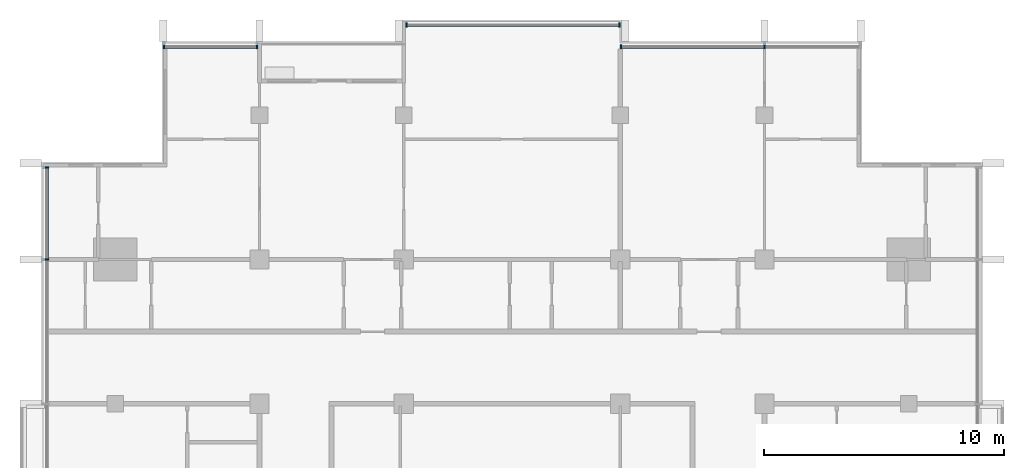
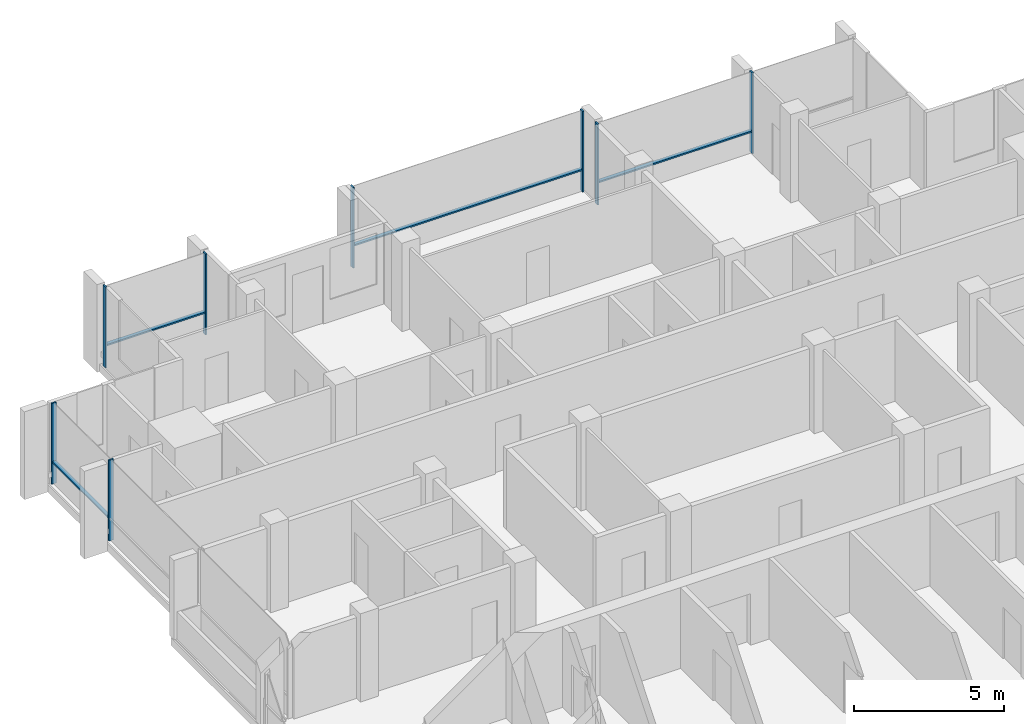
# One storey, part 4 of 16: 12 members, 4 elements without a shape of their own.
"""IFC4 building model written with IfcOpenShell, lengths in metres."""

from ifc_helpers import new_model, si_unit, direction, frame, origin, origin_2d, place, context, subcontext, project, spatial, rectangle, extrude, material, material_profile, profile_set, type_object, element, aggregate, save


model = new_model("IFC4")

# Units and contexts
model_context = context("Model", 3, precision=1e-05, world=origin(), true_north=direction((0.0, 1.0)))
body_context = subcontext(model_context, "Body", "Model", "MODEL_VIEW")
ifc_project = project(units=[si_unit("LENGTHUNIT", "METRE"), si_unit("AREAUNIT", "SQUARE_METRE"), si_unit("VOLUMEUNIT", "CUBIC_METRE"), si_unit("PLANEANGLEUNIT", "RADIAN"), si_unit("MASSUNIT", "GRAM", prefix="KILO")], contexts=[model_context])

# Site, building, storey
site_placement = place(None, origin())
site = spatial("IfcSite", under=ifc_project, at=site_placement, CompositionType="ELEMENT")
building_placement = place(site_placement, origin())
building = spatial("IfcBuilding", under=site, at=building_placement, Name="Finial Court Residences", CompositionType="ELEMENT")
storey_placement = place(building_placement, frame((0.0, 0.0, 277.10009765625)))
storey = spatial("IfcBuildingStorey", under=building, at=storey_placement, Name="L70", CompositionType="ELEMENT", Elevation=277.10009765625)

# Curtain wall, members
ifc_material = material(Name="Bronze anodised aluminium", Category="aluminium")
curtain_wall_type = type_object("IfcCurtainWallType", Name="Unitised curtain wall, upper zones", PredefinedType="NOTDEFINED", material=ifc_material)
curtain_wall_1_placement = place(storey_placement, origin())
curtain_wall_1 = element("IfcCurtainWall", 1, at=curtain_wall_1_placement, inside=storey, type_object=curtain_wall_type, Name="E-L70-CW-N1", PredefinedType="NOTDEFINED")
ifc_material_profile_1 = material_profile(ifc_material, rectangle(XDim=0.175048828125, YDim=0.06005859375, at=origin_2d()), Name="CW2 mullion 60 x 175")
ifc_profile_set_1 = profile_set([ifc_material_profile_1], Name="Bronze anodised aluminium")
member_type_1 = type_object("IfcMemberType", Name="CW2 mullion 60 x 175", PredefinedType="MULLION", material=ifc_profile_set_1)
member_1_placement = place(storey_placement, frame((-14.469970703125, 16.35009765625, 0.0), z_axis=(0.0, 0.0, 1.0), x_axis=(0.0, 1.0, 0.0)))
member_1 = element("IfcMember", 2, at=member_1_placement, type_object=member_type_1, Name="CW2 mullion 1", PredefinedType="MULLION", context=body_context, shape_type="SweptSolid", body=[
    extrude(rectangle(XDim=0.175048828125, YDim=0.06005859375, at=origin_2d()), origin(), (0.0, 0.0, 1.0), 3.2998046875),
])
member_2_placement = place(storey_placement, frame((-10.60498046875, 16.35009765625, 0.0), z_axis=(0.0, 0.0, 1.0), x_axis=(0.0, 1.0, 0.0)))
member_2 = element("IfcMember", 3, at=member_2_placement, type_object=member_type_1, Name="CW2 mullion 2", PredefinedType="MULLION", context=body_context, shape_type="SweptSolid", body=[
    extrude(rectangle(XDim=0.175048828125, YDim=0.06005859375, at=origin_2d()), origin(), (0.0, 0.0, 1.0), 3.2998046875),
])

curtain_wall_2_placement = place(storey_placement, origin())
curtain_wall_2 = element("IfcCurtainWall", 4, at=curtain_wall_2_placement, inside=storey, type_object=curtain_wall_type, Name="E-L70-CW-N2", PredefinedType="NOTDEFINED")
member_3_placement = place(storey_placement, frame((-4.39501953125, 17.25, 0.0), z_axis=(0.0, 0.0, 1.0), x_axis=(0.0, 1.0, 0.0)))
member_3 = element("IfcMember", 5, at=member_3_placement, type_object=member_type_1, Name="CW2 mullion 1", PredefinedType="MULLION", context=body_context, shape_type="SweptSolid", body=[
    extrude(rectangle(XDim=0.175048828125, YDim=0.06005859375, at=origin_2d()), origin(), (0.0, 0.0, 1.0), 3.2998046875),
])
member_4_placement = place(storey_placement, frame((4.469970703125, 17.25, 0.0), z_axis=(0.0, 0.0, 1.0), x_axis=(0.0, 1.0, 0.0)))
member_4 = element("IfcMember", 6, at=member_4_placement, type_object=member_type_1, Name="CW2 mullion 2", PredefinedType="MULLION", context=body_context, shape_type="SweptSolid", body=[
    extrude(rectangle(XDim=0.175048828125, YDim=0.06005859375, at=origin_2d()), origin(), (0.0, 0.0, 1.0), 3.2998046875),
])

curtain_wall_3_placement = place(storey_placement, origin())
curtain_wall_3 = element("IfcCurtainWall", 7, at=curtain_wall_3_placement, inside=storey, type_object=curtain_wall_type, Name="E-L70-CW-N3", PredefinedType="NOTDEFINED")
member_5_placement = place(storey_placement, frame((4.530029296875, 16.35009765625, 0.0), z_axis=(0.0, 0.0, 1.0), x_axis=(0.0, 1.0, 0.0)))
member_5 = element("IfcMember", 8, at=member_5_placement, type_object=member_type_1, Name="CW2 mullion 1", PredefinedType="MULLION", context=body_context, shape_type="SweptSolid", body=[
    extrude(rectangle(XDim=0.175048828125, YDim=0.06005859375, at=origin_2d()), origin(), (0.0, 0.0, 1.0), 3.2998046875),
])
member_6_placement = place(storey_placement, frame((10.5, 16.35009765625, 0.0), z_axis=(0.0, 0.0, 1.0), x_axis=(0.0, 1.0, 0.0)))
member_6 = element("IfcMember", 9, at=member_6_placement, type_object=member_type_1, Name="CW2 mullion 2", PredefinedType="MULLION", context=body_context, shape_type="SweptSolid", body=[
    extrude(rectangle(XDim=0.175048828125, YDim=0.06005859375, at=origin_2d()), origin(), (0.0, 0.0, 1.0), 3.2998046875),
])

curtain_wall_4_placement = place(storey_placement, origin())
curtain_wall_4 = element("IfcCurtainWall", 10, at=curtain_wall_4_placement, inside=storey, type_object=curtain_wall_type, Name="E-L70-CW-W11", PredefinedType="NOTDEFINED")
member_7_placement = place(storey_placement, frame((-19.35009765625, 7.5, 0.0), z_axis=(0.0, 0.0, 1.0), x_axis=(-1.0, 0.0, 0.0)))
member_7 = element("IfcMember", 11, at=member_7_placement, type_object=member_type_1, Name="CW2 mullion 3", PredefinedType="MULLION", context=body_context, shape_type="SweptSolid", body=[
    extrude(rectangle(XDim=0.175048828125, YDim=0.06005859375, at=origin_2d()), origin(), (0.0, 0.0, 1.0), 3.2998046875),
])
member_8_placement = place(storey_placement, frame((-19.35009765625, 11.320068359375, 0.0), z_axis=(0.0, 0.0, 1.0), x_axis=(-1.0, 0.0, 0.0)))
member_8 = element("IfcMember", 12, at=member_8_placement, type_object=member_type_1, Name="CW2 mullion 4", PredefinedType="MULLION", context=body_context, shape_type="SweptSolid", body=[
    extrude(rectangle(XDim=0.175048828125, YDim=0.06005859375, at=origin_2d()), origin(), (0.0, 0.0, 1.0), 3.2998046875),
])

# Member
ifc_material_profile_2 = material_profile(ifc_material, rectangle(XDim=0.139892578125, YDim=0.06005859375, at=origin_2d()), Name="CW2 transom 60 x 140")
ifc_profile_set_2 = profile_set([ifc_material_profile_2], Name="Bronze anodised aluminium")
member_type_2 = type_object("IfcMemberType", Name="CW2 transom 60 x 140", PredefinedType="USERDEFINED", material=ifc_profile_set_2)
member_9_placement = place(storey_placement, frame((-14.43994140625, 16.35009765625, 0.89990234375), z_axis=(1.0, 0.0, 0.0), x_axis=(0.0, 1.0, 0.0)))
member_9 = element("IfcMember", 13, at=member_9_placement, type_object=member_type_2, Name="CW2 transom 1.1", ObjectType="TRANSOM", PredefinedType="USERDEFINED", context=body_context, shape_type="SweptSolid", body=[
    extrude(rectangle(XDim=0.139892578125, YDim=0.06005859375, at=origin_2d()), origin(), (0.0, 0.0, 1.0), 3.804931640625),
])

aggregate(curtain_wall_1, [member_1, member_2, member_9])

member_10_placement = place(storey_placement, frame((-4.364990234375, 17.25, 0.89990234375), z_axis=(1.0, 0.0, 0.0), x_axis=(0.0, 1.0, 0.0)))
member_10 = element("IfcMember", 14, at=member_10_placement, type_object=member_type_2, Name="CW2 transom 1.1", ObjectType="TRANSOM", PredefinedType="USERDEFINED", context=body_context, shape_type="SweptSolid", body=[
    extrude(rectangle(XDim=0.139892578125, YDim=0.06005859375, at=origin_2d()), origin(), (0.0, 0.0, 1.0), 8.804931640625),
])

aggregate(curtain_wall_2, [member_3, member_4, member_10])

member_11_placement = place(storey_placement, frame((4.56005859375, 16.35009765625, 0.89990234375), z_axis=(1.0, 0.0, 0.0), x_axis=(0.0, 1.0, 0.0)))
member_11 = element("IfcMember", 15, at=member_11_placement, type_object=member_type_2, Name="CW2 transom 1.1", ObjectType="TRANSOM", PredefinedType="USERDEFINED", context=body_context, shape_type="SweptSolid", body=[
    extrude(rectangle(XDim=0.139892578125, YDim=0.06005859375, at=origin_2d()), origin(), (0.0, 0.0, 1.0), 5.909912109375),
])

aggregate(curtain_wall_3, [member_5, member_6, member_11])

member_12_placement = place(storey_placement, frame((-19.35009765625, 7.530029296875, 0.89990234375), z_axis=(0.0, 1.0, 0.0), x_axis=(-1.0, 0.0, 0.0)))
member_12 = element("IfcMember", 16, at=member_12_placement, type_object=member_type_2, Name="CW2 transom 3.1", ObjectType="TRANSOM", PredefinedType="USERDEFINED", context=body_context, shape_type="SweptSolid", body=[
    extrude(rectangle(XDim=0.139892578125, YDim=0.06005859375, at=origin_2d()), origin(), (0.0, 0.0, 1.0), 3.760009765625),
])

aggregate(curtain_wall_4, [member_7, member_8, member_12])

save(model, "model.ifc")
